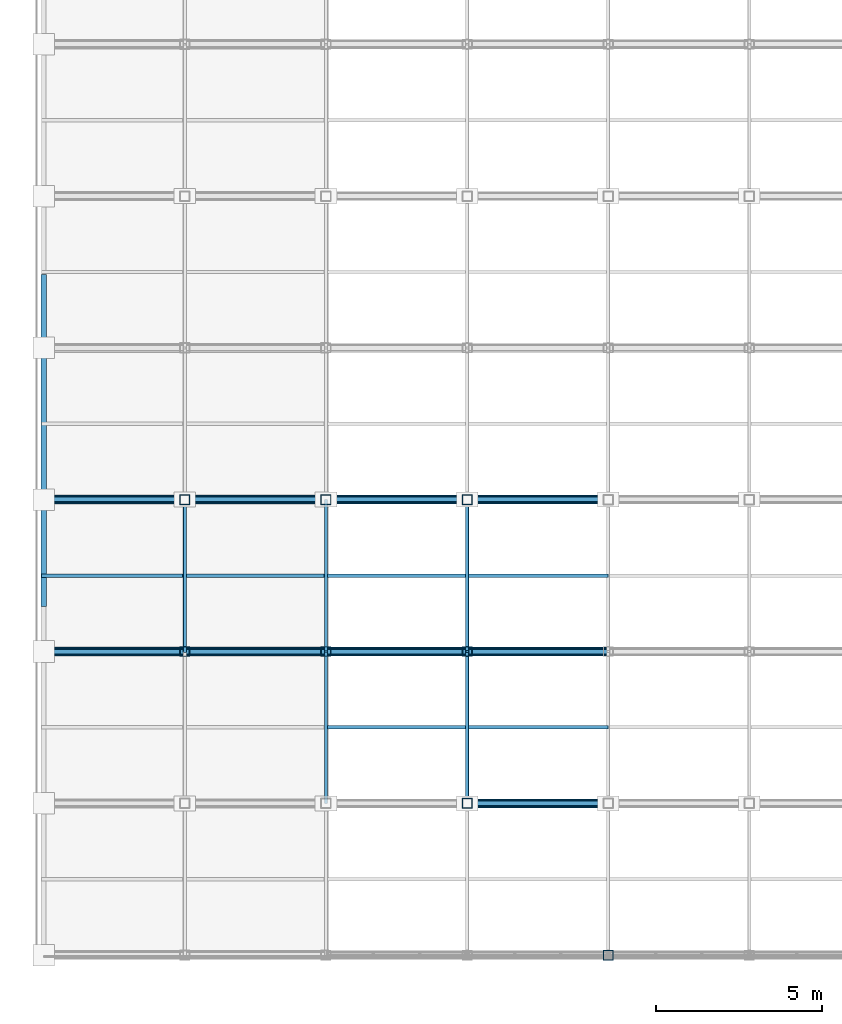
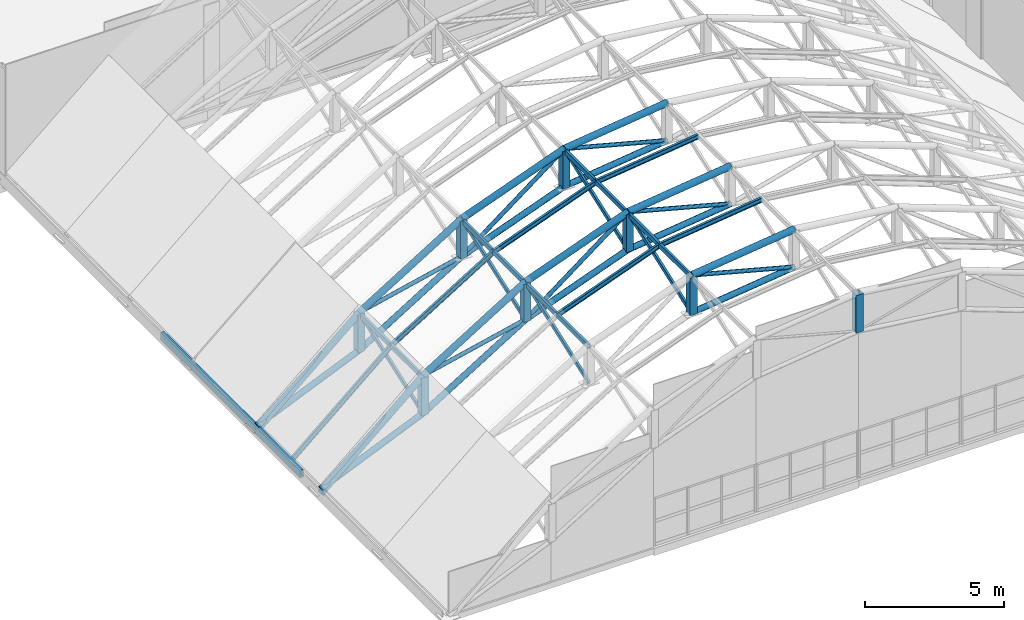
# One storey, part 10 of 86: 51 members, 1 beam.
"""IFC4 building model written with IfcOpenShell, lengths in metres."""

from ifc_helpers import new_model, si_unit, direction, frame, origin, origin_2d, place, context, subcontext, project, spatial, hollow_rectangle, hollow_circle, i_section, extrude, material, material_profile, profile_set, type_object, element, save


model = new_model("IFC4")

# Units and contexts
model_context = context("Model", 3, precision=1e-05, world=origin(), true_north=direction((0.0, 1.0)))
body_context = subcontext(model_context, "Body", "Model", "MODEL_VIEW")
ifc_project = project(units=[si_unit("LENGTHUNIT", "METRE"), si_unit("AREAUNIT", "SQUARE_METRE"), si_unit("VOLUMEUNIT", "CUBIC_METRE"), si_unit("PLANEANGLEUNIT", "RADIAN"), si_unit("MASSUNIT", "GRAM", prefix="KILO")], contexts=[model_context])

# Site, building, storey
site_placement = place(None, origin())
site = spatial("IfcSite", under=ifc_project, at=site_placement, CompositionType="ELEMENT")
building_placement = place(site_placement, origin())
building = spatial("IfcBuilding", under=site, at=building_placement, Name="Solvikara Media Centre", CompositionType="ELEMENT")
storey_placement = place(building_placement, frame((0.0, 0.0, 15.0)))
storey = spatial("IfcBuildingStorey", under=building, at=storey_placement, Name="L03", CompositionType="ELEMENT", Elevation=15.0)

# Beam
ifc_material = material(Name="Steel S355JR", Category="steel")
ifc_material_profile_1 = material_profile(ifc_material, hollow_rectangle(XDim=0.159912109375, YDim=0.320068359375, WallThickness=0.010009765625, at=origin_2d()), Name="RHS 320x160x10")
ifc_profile_set_1 = profile_set([ifc_material_profile_1], Name="Steel S355JR")
beam_type = type_object("IfcBeamType", Name="BM-45", PredefinedType="SPANDREL", material=ifc_profile_set_1)
beam_placement = place(storey_placement, frame((0.0, 10.5, -0.260009765625), z_axis=(0.0, 1.0, 0.0), x_axis=(-1.0, 0.0, 0.0)))
element("IfcBeam", 1, at=beam_placement, inside=storey, type_object=beam_type, Name="B-L03-Y1223", PredefinedType="SPANDREL", context=body_context, shape_type="SweptSolid", body=[
    extrude(hollow_rectangle(XDim=0.159912109375, YDim=0.320068359375, WallThickness=0.010009765625, at=origin_2d()), origin(), (0.0, 0.0, 1.0), 10.0),
])

# Members
ifc_material_profile_2 = material_profile(ifc_material, hollow_circle(Radius=0.136474609375, WallThickness=0.010009765625, at=origin_2d()), Name="CHS 273x10")
ifc_profile_set_2 = profile_set([ifc_material_profile_2], Name="Steel S355JR")
member_type_1 = type_object("IfcMemberType", Name="MB-03", PredefinedType="CHORD", material=ifc_profile_set_2)
member_1_placement = place(storey_placement, frame((12.75, 4.571044921875, 7.580078125), z_axis=(0.992459240716, 0.0, 0.122575101536), x_axis=(0.0, 1.0, 0.0)))
element("IfcMember", 2, at=member_1_placement, inside=storey, type_object=member_type_1, Name="Space Frame Vault Chord GC-TC-01-03", PredefinedType="CHORD", context=body_context, shape_type="SweptSolid", body=[
    extrude(hollow_circle(Radius=0.136474609375, WallThickness=0.010009765625, at=origin_2d()), origin(), (0.0, 0.0, 1.0), 4.2822265625),
])
member_2_placement = place(storey_placement, frame((0.0, 9.14306640625, -0.294921875), z_axis=(0.756439869263, 0.0, 0.654063241736), x_axis=(0.0, 1.0, 0.0)))
element("IfcMember", 3, at=member_2_placement, inside=storey, type_object=member_type_1, Name="Space Frame Vault Chord GC-TC-02-00", PredefinedType="CHORD", context=body_context, shape_type="SweptSolid", body=[
    extrude(hollow_circle(Radius=0.136474609375, WallThickness=0.010009765625, at=origin_2d()), origin(), (0.0, 0.0, 1.0), 5.618408203125),
])
member_3_placement = place(storey_placement, frame((4.25, 9.14306640625, 3.3798828125), z_axis=(0.850797997359, 0.0, 0.525492880722), x_axis=(0.0, 1.0, 0.0)))
element("IfcMember", 4, at=member_3_placement, inside=storey, type_object=member_type_1, Name="Space Frame Vault Chord GC-TC-02-01", PredefinedType="CHORD", context=body_context, shape_type="SweptSolid", body=[
    extrude(hollow_circle(Radius=0.136474609375, WallThickness=0.010009765625, at=origin_2d()), origin(), (0.0, 0.0, 1.0), 4.995361328125),
])
member_4_placement = place(storey_placement, frame((8.5, 9.14306640625, 6.0048828125), z_axis=(0.937668166589, 0.0, 0.347531882516), x_axis=(0.0, 1.0, 0.0)))
element("IfcMember", 5, at=member_4_placement, inside=storey, type_object=member_type_1, Name="Space Frame Vault Chord GC-TC-02-02", PredefinedType="CHORD", context=body_context, shape_type="SweptSolid", body=[
    extrude(hollow_circle(Radius=0.136474609375, WallThickness=0.010009765625, at=origin_2d()), origin(), (0.0, 0.0, 1.0), 4.532470703125),
])
member_5_placement = place(storey_placement, frame((12.75, 9.14306640625, 7.580078125), z_axis=(0.992459240716, 0.0, 0.122575101536), x_axis=(0.0, 1.0, 0.0)))
element("IfcMember", 6, at=member_5_placement, inside=storey, type_object=member_type_1, Name="Space Frame Vault Chord GC-TC-02-03", PredefinedType="CHORD", context=body_context, shape_type="SweptSolid", body=[
    extrude(hollow_circle(Radius=0.136474609375, WallThickness=0.010009765625, at=origin_2d()), origin(), (0.0, 0.0, 1.0), 4.2822265625),
])
member_6_placement = place(storey_placement, frame((0.0, 13.714111328125, -0.294921875), z_axis=(0.756439869263, 0.0, 0.654063241736), x_axis=(0.0, 1.0, 0.0)))
element("IfcMember", 7, at=member_6_placement, inside=storey, type_object=member_type_1, Name="Space Frame Vault Chord GC-TC-03-00", PredefinedType="CHORD", context=body_context, shape_type="SweptSolid", body=[
    extrude(hollow_circle(Radius=0.136474609375, WallThickness=0.010009765625, at=origin_2d()), origin(), (0.0, 0.0, 1.0), 5.618408203125),
])
member_7_placement = place(storey_placement, frame((4.25, 13.714111328125, 3.3798828125), z_axis=(0.850797997359, 0.0, 0.525492880722), x_axis=(0.0, 1.0, 0.0)))
element("IfcMember", 8, at=member_7_placement, inside=storey, type_object=member_type_1, Name="Space Frame Vault Chord GC-TC-03-01", PredefinedType="CHORD", context=body_context, shape_type="SweptSolid", body=[
    extrude(hollow_circle(Radius=0.136474609375, WallThickness=0.010009765625, at=origin_2d()), origin(), (0.0, 0.0, 1.0), 4.995361328125),
])
member_8_placement = place(storey_placement, frame((8.5, 13.714111328125, 6.0048828125), z_axis=(0.937668166589, 0.0, 0.347531882516), x_axis=(0.0, 1.0, 0.0)))
element("IfcMember", 9, at=member_8_placement, inside=storey, type_object=member_type_1, Name="Space Frame Vault Chord GC-TC-03-02", PredefinedType="CHORD", context=body_context, shape_type="SweptSolid", body=[
    extrude(hollow_circle(Radius=0.136474609375, WallThickness=0.010009765625, at=origin_2d()), origin(), (0.0, 0.0, 1.0), 4.532470703125),
])
member_9_placement = place(storey_placement, frame((12.75, 13.714111328125, 7.580078125), z_axis=(0.992459240716, 0.0, 0.122575101536), x_axis=(0.0, 1.0, 0.0)))
element("IfcMember", 10, at=member_9_placement, inside=storey, type_object=member_type_1, Name="Space Frame Vault Chord GC-TC-03-03", PredefinedType="CHORD", context=body_context, shape_type="SweptSolid", body=[
    extrude(hollow_circle(Radius=0.136474609375, WallThickness=0.010009765625, at=origin_2d()), origin(), (0.0, 0.0, 1.0), 4.2822265625),
])
ifc_material_profile_3 = material_profile(ifc_material, hollow_circle(Radius=0.122314453125, WallThickness=0.010009765625, at=origin_2d()), Name="CHS 244.5x10")
ifc_profile_set_3 = profile_set([ifc_material_profile_3], Name="Steel S355JR")
member_type_2 = type_object("IfcMemberType", Name="MB-04", PredefinedType="CHORD", material=ifc_profile_set_3)
member_10_placement = place(storey_placement, frame((12.75, 4.571044921875, 5.929931640625), z_axis=(0.992452303661, 0.0, 0.122631256042), x_axis=(0.0, 1.0, 0.0)))
element("IfcMember", 11, at=member_10_placement, inside=storey, type_object=member_type_2, Name="GC-BC-01-03", PredefinedType="CHORD", context=body_context, shape_type="SweptSolid", body=[
    extrude(hollow_circle(Radius=0.122314453125, WallThickness=0.010009765625, at=origin_2d()), origin(), (0.0, 0.0, 1.0), 4.2822265625),
])
member_11_placement = place(storey_placement, frame((0.0, 9.14306640625, -0.10009765625), z_axis=(0.918466874624, 0.0, 0.395497914303), x_axis=(0.0, 1.0, 0.0)))
element("IfcMember", 12, at=member_11_placement, inside=storey, type_object=member_type_2, Name="GC-BC-02-00", PredefinedType="CHORD", context=body_context, shape_type="SweptSolid", body=[
    extrude(hollow_circle(Radius=0.122314453125, WallThickness=0.010009765625, at=origin_2d()), origin(), (0.0, 0.0, 1.0), 4.627197265625),
])
member_12_placement = place(storey_placement, frame((4.25, 9.14306640625, 1.72998046875), z_axis=(0.850797997359, 0.0, 0.525492880722), x_axis=(0.0, 1.0, 0.0)))
element("IfcMember", 13, at=member_12_placement, inside=storey, type_object=member_type_2, Name="GC-BC-02-01", PredefinedType="CHORD", context=body_context, shape_type="SweptSolid", body=[
    extrude(hollow_circle(Radius=0.122314453125, WallThickness=0.010009765625, at=origin_2d()), origin(), (0.0, 0.0, 1.0), 4.995361328125),
])
member_13_placement = place(storey_placement, frame((8.5, 9.14306640625, 4.35498046875), z_axis=(0.93768571843, 0.0, 0.34748452261), x_axis=(0.0, 1.0, 0.0)))
element("IfcMember", 14, at=member_13_placement, inside=storey, type_object=member_type_2, Name="GC-BC-02-02", PredefinedType="CHORD", context=body_context, shape_type="SweptSolid", body=[
    extrude(hollow_circle(Radius=0.122314453125, WallThickness=0.010009765625, at=origin_2d()), origin(), (0.0, 0.0, 1.0), 4.532470703125),
])
member_14_placement = place(storey_placement, frame((12.75, 9.14306640625, 5.929931640625), z_axis=(0.992452303661, 0.0, 0.122631256042), x_axis=(0.0, 1.0, 0.0)))
element("IfcMember", 15, at=member_14_placement, inside=storey, type_object=member_type_2, Name="GC-BC-02-03", PredefinedType="CHORD", context=body_context, shape_type="SweptSolid", body=[
    extrude(hollow_circle(Radius=0.122314453125, WallThickness=0.010009765625, at=origin_2d()), origin(), (0.0, 0.0, 1.0), 4.2822265625),
])
member_15_placement = place(storey_placement, frame((0.0, 13.714111328125, -0.10009765625), z_axis=(0.918466874624, 0.0, 0.395497914303), x_axis=(0.0, 1.0, 0.0)))
element("IfcMember", 16, at=member_15_placement, inside=storey, type_object=member_type_2, Name="GC-BC-03-00", PredefinedType="CHORD", context=body_context, shape_type="SweptSolid", body=[
    extrude(hollow_circle(Radius=0.122314453125, WallThickness=0.010009765625, at=origin_2d()), origin(), (0.0, 0.0, 1.0), 4.627197265625),
])
member_16_placement = place(storey_placement, frame((4.25, 13.714111328125, 1.72998046875), z_axis=(0.850797997359, 0.0, 0.525492880722), x_axis=(0.0, 1.0, 0.0)))
element("IfcMember", 17, at=member_16_placement, inside=storey, type_object=member_type_2, Name="GC-BC-03-01", PredefinedType="CHORD", context=body_context, shape_type="SweptSolid", body=[
    extrude(hollow_circle(Radius=0.122314453125, WallThickness=0.010009765625, at=origin_2d()), origin(), (0.0, 0.0, 1.0), 4.995361328125),
])
member_17_placement = place(storey_placement, frame((8.5, 13.714111328125, 4.35498046875), z_axis=(0.93768571843, 0.0, 0.34748452261), x_axis=(0.0, 1.0, 0.0)))
element("IfcMember", 18, at=member_17_placement, inside=storey, type_object=member_type_2, Name="GC-BC-03-02", PredefinedType="CHORD", context=body_context, shape_type="SweptSolid", body=[
    extrude(hollow_circle(Radius=0.122314453125, WallThickness=0.010009765625, at=origin_2d()), origin(), (0.0, 0.0, 1.0), 4.532470703125),
])
member_18_placement = place(storey_placement, frame((12.75, 13.714111328125, 5.929931640625), z_axis=(0.992452303661, 0.0, 0.122631256042), x_axis=(0.0, 1.0, 0.0)))
element("IfcMember", 19, at=member_18_placement, inside=storey, type_object=member_type_2, Name="GC-BC-03-03", PredefinedType="CHORD", context=body_context, shape_type="SweptSolid", body=[
    extrude(hollow_circle(Radius=0.122314453125, WallThickness=0.010009765625, at=origin_2d()), origin(), (0.0, 0.0, 1.0), 4.2822265625),
])
ifc_material_profile_4 = material_profile(ifc_material, hollow_circle(Radius=0.084228515625, WallThickness=0.007080078125, at=origin_2d()), Name="CHS 168.3x7.1")
ifc_profile_set_4 = profile_set([ifc_material_profile_4], Name="Steel S355JR")
member_type_3 = type_object("IfcMemberType", Name="MB-07", PredefinedType="BRACE", material=ifc_profile_set_4)
member_19_placement = place(storey_placement, frame((12.75, 4.571044921875, 7.580078125), z_axis=(0.966705227862, 0.0, -0.255892560316), x_axis=(0.0, 1.0, 0.0)))
element("IfcMember", 20, at=member_19_placement, inside=storey, type_object=member_type_3, Name="GC-DG-01-03", PredefinedType="BRACE", context=body_context, shape_type="SweptSolid", body=[
    extrude(hollow_circle(Radius=0.084228515625, WallThickness=0.007080078125, at=origin_2d()), origin(), (0.0, 0.0, 1.0), 4.396484375),
])
member_20_placement = place(storey_placement, frame((0.0, 9.14306640625, -0.10009765625), z_axis=(0.773715650361, 0.0, 0.633533023911), x_axis=(0.0, 1.0, 0.0)))
element("IfcMember", 21, at=member_20_placement, inside=storey, type_object=member_type_3, Name="GC-DG-02-00", PredefinedType="BRACE", context=body_context, shape_type="SweptSolid", body=[
    extrude(hollow_circle(Radius=0.084228515625, WallThickness=0.007080078125, at=origin_2d()), origin(), (0.0, 0.0, 1.0), 5.492919921875),
])
member_21_placement = place(storey_placement, frame((4.25, 9.14306640625, 3.3798828125), z_axis=(0.974675396372, 0.0, 0.223624398731), x_axis=(0.0, 1.0, 0.0)))
element("IfcMember", 22, at=member_21_placement, inside=storey, type_object=member_type_3, Name="GC-DG-02-01", PredefinedType="BRACE", context=body_context, shape_type="SweptSolid", body=[
    extrude(hollow_circle(Radius=0.084228515625, WallThickness=0.007080078125, at=origin_2d()), origin(), (0.0, 0.0, 1.0), 4.3603515625),
])
member_22_placement = place(storey_placement, frame((8.5, 9.14306640625, 4.35498046875), z_axis=(0.796604645228, 0.0, 0.604500652772), x_axis=(0.0, 1.0, 0.0)))
element("IfcMember", 23, at=member_22_placement, inside=storey, type_object=member_type_3, Name="GC-DG-02-02", PredefinedType="BRACE", context=body_context, shape_type="SweptSolid", body=[
    extrude(hollow_circle(Radius=0.084228515625, WallThickness=0.007080078125, at=origin_2d()), origin(), (0.0, 0.0, 1.0), 5.335205078125),
])
member_23_placement = place(storey_placement, frame((12.75, 9.14306640625, 7.580078125), z_axis=(0.966705227862, 0.0, -0.255892560316), x_axis=(0.0, 1.0, 0.0)))
element("IfcMember", 24, at=member_23_placement, inside=storey, type_object=member_type_3, Name="GC-DG-02-03", PredefinedType="BRACE", context=body_context, shape_type="SweptSolid", body=[
    extrude(hollow_circle(Radius=0.084228515625, WallThickness=0.007080078125, at=origin_2d()), origin(), (0.0, 0.0, 1.0), 4.396484375),
])
member_24_placement = place(storey_placement, frame((0.0, 13.714111328125, -0.10009765625), z_axis=(0.773715650361, 0.0, 0.633533023911), x_axis=(0.0, 1.0, 0.0)))
element("IfcMember", 25, at=member_24_placement, inside=storey, type_object=member_type_3, Name="GC-DG-03-00", PredefinedType="BRACE", context=body_context, shape_type="SweptSolid", body=[
    extrude(hollow_circle(Radius=0.084228515625, WallThickness=0.007080078125, at=origin_2d()), origin(), (0.0, 0.0, 1.0), 5.492919921875),
])
member_25_placement = place(storey_placement, frame((4.25, 13.714111328125, 3.3798828125), z_axis=(0.974675396372, 0.0, 0.223624398731), x_axis=(0.0, 1.0, 0.0)))
element("IfcMember", 26, at=member_25_placement, inside=storey, type_object=member_type_3, Name="GC-DG-03-01", PredefinedType="BRACE", context=body_context, shape_type="SweptSolid", body=[
    extrude(hollow_circle(Radius=0.084228515625, WallThickness=0.007080078125, at=origin_2d()), origin(), (0.0, 0.0, 1.0), 4.3603515625),
])
member_26_placement = place(storey_placement, frame((8.5, 13.714111328125, 4.35498046875), z_axis=(0.796604645228, 0.0, 0.604500652772), x_axis=(0.0, 1.0, 0.0)))
element("IfcMember", 27, at=member_26_placement, inside=storey, type_object=member_type_3, Name="GC-DG-03-02", PredefinedType="BRACE", context=body_context, shape_type="SweptSolid", body=[
    extrude(hollow_circle(Radius=0.084228515625, WallThickness=0.007080078125, at=origin_2d()), origin(), (0.0, 0.0, 1.0), 5.335205078125),
])
member_27_placement = place(storey_placement, frame((12.75, 13.714111328125, 7.580078125), z_axis=(0.966705227862, 0.0, -0.255892560316), x_axis=(0.0, 1.0, 0.0)))
element("IfcMember", 28, at=member_27_placement, inside=storey, type_object=member_type_3, Name="GC-DG-03-03", PredefinedType="BRACE", context=body_context, shape_type="SweptSolid", body=[
    extrude(hollow_circle(Radius=0.084228515625, WallThickness=0.007080078125, at=origin_2d()), origin(), (0.0, 0.0, 1.0), 4.396484375),
])
ifc_material_profile_5 = material_profile(ifc_material, hollow_rectangle(XDim=0.300048828125, YDim=0.300048828125, WallThickness=0.012451171875, at=origin_2d()), Name="RHS 300x300x12.5")
ifc_profile_set_5 = profile_set([ifc_material_profile_5], Name="Steel S355JR")
member_type_4 = type_object("IfcMemberType", Name="MB-11", PredefinedType="CHORD", material=ifc_profile_set_5)
member_28_placement = place(storey_placement, frame((17.0, 0.0, 6.455078125), z_axis=(0.0, 0.0, 1.0), x_axis=(1.0, 0.0, 0.0)))
element("IfcMember", 29, at=member_28_placement, inside=storey, type_object=member_type_4, Name="GC-VT-00-04", PredefinedType="CHORD", context=body_context, shape_type="SweptSolid", body=[
    extrude(hollow_rectangle(XDim=0.300048828125, YDim=0.300048828125, WallThickness=0.012451171875, at=origin_2d()), origin(), (0.0, 0.0, 1.0), 1.64990234375),
])
member_29_placement = place(storey_placement, frame((12.75, 4.571044921875, 5.929931640625), z_axis=(0.0, 0.0, 1.0), x_axis=(1.0, 0.0, 0.0)))
element("IfcMember", 30, at=member_29_placement, inside=storey, type_object=member_type_4, Name="GC-VT-01-03", PredefinedType="CHORD", context=body_context, shape_type="SweptSolid", body=[
    extrude(hollow_rectangle(XDim=0.300048828125, YDim=0.300048828125, WallThickness=0.012451171875, at=origin_2d()), origin(), (0.0, 0.0, 1.0), 1.650146484375),
])
for number, where, z_axis, x_axis, name in (
    (31, (4.25, 9.14306640625, 1.72998046875), (0.0, 0.0, 1.0), (1.0, 0.0, 0.0), "GC-VT-02-01"),
    (32, (8.5, 9.14306640625, 4.35498046875), (0.0, 0.0, 1.0), (1.0, 0.0, 0.0), "GC-VT-02-02"),
):
    element("IfcMember", number, at=place(storey_placement, frame(where, z_axis=z_axis, x_axis=x_axis)), inside=storey, type_object=member_type_4, Name=name, PredefinedType="CHORD", context=body_context, shape_type="SweptSolid", body=[
        extrude(hollow_rectangle(XDim=0.300048828125, YDim=0.300048828125, WallThickness=0.012451171875, at=origin_2d()), origin(), (0.0, 0.0, 1.0), 1.64990234375),
    ])
member_30_placement = place(storey_placement, frame((12.75, 9.14306640625, 5.929931640625), z_axis=(0.0, 0.0, 1.0), x_axis=(1.0, 0.0, 0.0)))
element("IfcMember", 33, at=member_30_placement, inside=storey, type_object=member_type_4, Name="GC-VT-02-03", PredefinedType="CHORD", context=body_context, shape_type="SweptSolid", body=[
    extrude(hollow_rectangle(XDim=0.300048828125, YDim=0.300048828125, WallThickness=0.012451171875, at=origin_2d()), origin(), (0.0, 0.0, 1.0), 1.650146484375),
])
for number, where, z_axis, x_axis, name in (
    (34, (4.25, 13.714111328125, 1.72998046875), (0.0, 0.0, 1.0), (1.0, 0.0, 0.0), "GC-VT-03-01"),
    (35, (8.5, 13.714111328125, 4.35498046875), (0.0, 0.0, 1.0), (1.0, 0.0, 0.0), "GC-VT-03-02"),
):
    element("IfcMember", number, at=place(storey_placement, frame(where, z_axis=z_axis, x_axis=x_axis)), inside=storey, type_object=member_type_4, Name=name, PredefinedType="CHORD", context=body_context, shape_type="SweptSolid", body=[
        extrude(hollow_rectangle(XDim=0.300048828125, YDim=0.300048828125, WallThickness=0.012451171875, at=origin_2d()), origin(), (0.0, 0.0, 1.0), 1.64990234375),
    ])
member_31_placement = place(storey_placement, frame((12.75, 13.714111328125, 5.929931640625), z_axis=(0.0, 0.0, 1.0), x_axis=(1.0, 0.0, 0.0)))
element("IfcMember", 36, at=member_31_placement, inside=storey, type_object=member_type_4, Name="GC-VT-03-03", PredefinedType="CHORD", context=body_context, shape_type="SweptSolid", body=[
    extrude(hollow_rectangle(XDim=0.300048828125, YDim=0.300048828125, WallThickness=0.012451171875, at=origin_2d()), origin(), (0.0, 0.0, 1.0), 1.650146484375),
])
ifc_material_profile_6 = material_profile(ifc_material, hollow_rectangle(XDim=0.10009765625, YDim=0.199951171875, WallThickness=0.00634765625, at=origin_2d()), Name="RHS 200x100x6.3")
ifc_profile_set_6 = profile_set([ifc_material_profile_6], Name="Steel S355JR")
member_type_5 = type_object("IfcMemberType", Name="MB-17", PredefinedType="PURLIN", material=ifc_profile_set_6)
for number, where, z_axis, x_axis, name in (
    (37, (8.5, 4.571044921875, 5.93994140625), (0.0, 1.0, 0.0), (-1.0, 0.0, 0.0), "GC-PRL-01-02"),
    (38, (12.75, 4.571044921875, 7.514892578125), (0.0, 1.0, 0.0), (-1.0, 0.0, 0.0), "GC-PRL-01-03"),
):
    element("IfcMember", number, at=place(storey_placement, frame(where, z_axis=z_axis, x_axis=x_axis)), inside=storey, type_object=member_type_5, Name=name, PredefinedType="PURLIN", context=body_context, shape_type="SweptSolid", body=[
        extrude(hollow_rectangle(XDim=0.10009765625, YDim=0.199951171875, WallThickness=0.00634765625, at=origin_2d()), origin(), (0.0, 0.0, 1.0), 4.572021484375),
    ])
for number, where, z_axis, x_axis, name in (
    (39, (4.25, 9.14306640625, 3.31494140625), (0.0, 1.0, 0.0), (-1.0, 0.0, 0.0), "GC-PRL-02-01"),
    (40, (8.5, 9.14306640625, 5.93994140625), (0.0, 1.0, 0.0), (-1.0, 0.0, 0.0), "GC-PRL-02-02"),
    (41, (12.75, 9.14306640625, 7.514892578125), (0.0, 1.0, 0.0), (-1.0, 0.0, 0.0), "GC-PRL-02-03"),
):
    element("IfcMember", number, at=place(storey_placement, frame(where, z_axis=z_axis, x_axis=x_axis)), inside=storey, type_object=member_type_5, Name=name, PredefinedType="PURLIN", context=body_context, shape_type="SweptSolid", body=[
        extrude(hollow_rectangle(XDim=0.10009765625, YDim=0.199951171875, WallThickness=0.00634765625, at=origin_2d()), origin(), (0.0, 0.0, 1.0), 4.571044921875),
    ])
ifc_material_profile_7 = material_profile(ifc_material, i_section(OverallWidth=0.10009765625, OverallDepth=0.199951171875, WebThickness=0.005615234375, FlangeThickness=0.008056640625, at=origin_2d()), Name="WF 200x100x5.5x8")
ifc_profile_set_7 = profile_set([ifc_material_profile_7], Name="Steel S355JR")
member_type_6 = type_object("IfcMemberType", Name="MB-21", PredefinedType="PURLIN", material=ifc_profile_set_7)
member_32_placement = place(storey_placement, frame((8.5, 6.85693359375, 5.93994140625), z_axis=(0.93768571843, 0.0, 0.34748452261), x_axis=(0.0, 1.0, 0.0)))
element("IfcMember", 42, at=member_32_placement, inside=storey, type_object=member_type_6, Name="GC-SUB-01-02", PredefinedType="PURLIN", context=body_context, shape_type="SweptSolid", body=[
    extrude(i_section(OverallWidth=0.10009765625, OverallDepth=0.199951171875, WebThickness=0.005615234375, FlangeThickness=0.008056640625, at=origin_2d()), origin(), (0.0, 0.0, 1.0), 4.532470703125),
])
member_33_placement = place(storey_placement, frame((12.75, 6.85693359375, 7.514892578125), z_axis=(0.992452303661, 0.0, 0.122631256042), x_axis=(0.0, 1.0, 0.0)))
element("IfcMember", 43, at=member_33_placement, inside=storey, type_object=member_type_6, Name="GC-SUB-01-03", PredefinedType="PURLIN", context=body_context, shape_type="SweptSolid", body=[
    extrude(i_section(OverallWidth=0.10009765625, OverallDepth=0.199951171875, WebThickness=0.005615234375, FlangeThickness=0.008056640625, at=origin_2d()), origin(), (0.0, 0.0, 1.0), 4.2822265625),
])
member_34_placement = place(storey_placement, frame((0.0, 11.427978515625, -0.360107421875), z_axis=(0.756418370394, 0.0, 0.654088104868), x_axis=(0.0, 1.0, 0.0)))
element("IfcMember", 44, at=member_34_placement, inside=storey, type_object=member_type_6, Name="GC-SUB-02-00", PredefinedType="PURLIN", context=body_context, shape_type="SweptSolid", body=[
    extrude(i_section(OverallWidth=0.10009765625, OverallDepth=0.199951171875, WebThickness=0.005615234375, FlangeThickness=0.008056640625, at=origin_2d()), origin(), (0.0, 0.0, 1.0), 5.61865234375),
])
member_35_placement = place(storey_placement, frame((4.25, 11.427978515625, 3.31494140625), z_axis=(0.850797997359, 0.0, 0.525492880722), x_axis=(0.0, 1.0, 0.0)))
element("IfcMember", 45, at=member_35_placement, inside=storey, type_object=member_type_6, Name="GC-SUB-02-01", PredefinedType="PURLIN", context=body_context, shape_type="SweptSolid", body=[
    extrude(i_section(OverallWidth=0.10009765625, OverallDepth=0.199951171875, WebThickness=0.005615234375, FlangeThickness=0.008056640625, at=origin_2d()), origin(), (0.0, 0.0, 1.0), 4.995361328125),
])
member_36_placement = place(storey_placement, frame((8.5, 11.427978515625, 5.93994140625), z_axis=(0.93768571843, 0.0, 0.34748452261), x_axis=(0.0, 1.0, 0.0)))
element("IfcMember", 46, at=member_36_placement, inside=storey, type_object=member_type_6, Name="GC-SUB-02-02", PredefinedType="PURLIN", context=body_context, shape_type="SweptSolid", body=[
    extrude(i_section(OverallWidth=0.10009765625, OverallDepth=0.199951171875, WebThickness=0.005615234375, FlangeThickness=0.008056640625, at=origin_2d()), origin(), (0.0, 0.0, 1.0), 4.532470703125),
])
member_37_placement = place(storey_placement, frame((12.75, 11.427978515625, 7.514892578125), z_axis=(0.992452303661, 0.0, 0.122631256042), x_axis=(0.0, 1.0, 0.0)))
element("IfcMember", 47, at=member_37_placement, inside=storey, type_object=member_type_6, Name="GC-SUB-02-03", PredefinedType="PURLIN", context=body_context, shape_type="SweptSolid", body=[
    extrude(i_section(OverallWidth=0.10009765625, OverallDepth=0.199951171875, WebThickness=0.005615234375, FlangeThickness=0.008056640625, at=origin_2d()), origin(), (0.0, 0.0, 1.0), 4.2822265625),
])
ifc_material_profile_8 = material_profile(ifc_material, hollow_rectangle(XDim=0.090087890625, YDim=0.169921875, WallThickness=0.0048828125, at=origin_2d()), Name="RHS 170x90x5")
ifc_profile_set_8 = profile_set([ifc_material_profile_8], Name="Steel S355JR")
member_type_7 = type_object("IfcMemberType", Name="MB-26", PredefinedType="PURLIN", material=ifc_profile_set_8)
for number, where, z_axis, x_axis, name in (
    (48, (8.5, 4.571044921875, 4.35498046875), (0.0, 0.9406265293, 0.339443268276), (-1.0, 0.0, 0.0), "GC-3D-01-02"),
    (49, (12.75, 4.571044921875, 5.929931640625), (0.0, 0.940610491143, 0.339487708102), (-1.0, 0.0, 0.0), "GC-3D-01-03"),
):
    element("IfcMember", number, at=place(storey_placement, frame(where, z_axis=z_axis, x_axis=x_axis)), inside=storey, type_object=member_type_7, Name=name, PredefinedType="PURLIN", context=body_context, shape_type="SweptSolid", body=[
        extrude(hollow_rectangle(XDim=0.090087890625, YDim=0.169921875, WallThickness=0.0048828125, at=origin_2d()), origin(), (0.0, 0.0, 1.0), 4.860595703125),
    ])
for number, where, z_axis, x_axis, name in (
    (50, (4.25, 9.14306640625, 1.72998046875), (0.0, 0.94060337314, 0.339507429134), (-1.0, 0.0, 0.0), "GC-3D-02-01"),
    (51, (8.5, 9.14306640625, 4.35498046875), (0.0, 0.94060337314, 0.339507429134), (-1.0, 0.0, 0.0), "GC-3D-02-02"),
):
    element("IfcMember", number, at=place(storey_placement, frame(where, z_axis=z_axis, x_axis=x_axis)), inside=storey, type_object=member_type_7, Name=name, PredefinedType="PURLIN", context=body_context, shape_type="SweptSolid", body=[
        extrude(hollow_rectangle(XDim=0.090087890625, YDim=0.169921875, WallThickness=0.0048828125, at=origin_2d()), origin(), (0.0, 0.0, 1.0), 4.859619140625),
    ])
member_38_placement = place(storey_placement, frame((12.75, 9.14306640625, 5.929931640625), z_axis=(0.0, 0.940587329315, 0.339551875172), x_axis=(-1.0, 0.0, 0.0)))
element("IfcMember", 52, at=member_38_placement, inside=storey, type_object=member_type_7, Name="GC-3D-02-03", PredefinedType="PURLIN", context=body_context, shape_type="SweptSolid", body=[
    extrude(hollow_rectangle(XDim=0.090087890625, YDim=0.169921875, WallThickness=0.0048828125, at=origin_2d()), origin(), (0.0, 0.0, 1.0), 4.85986328125),
])

save(model, "model.ifc")
